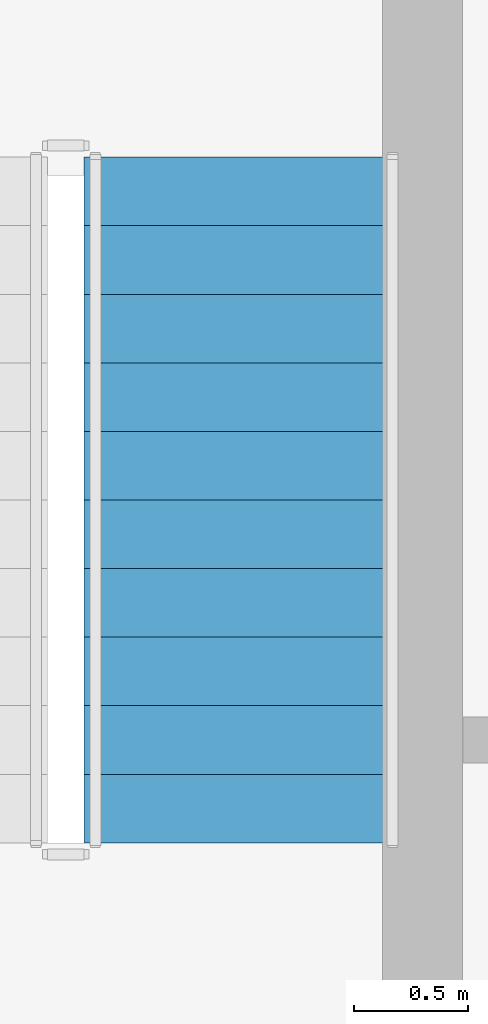
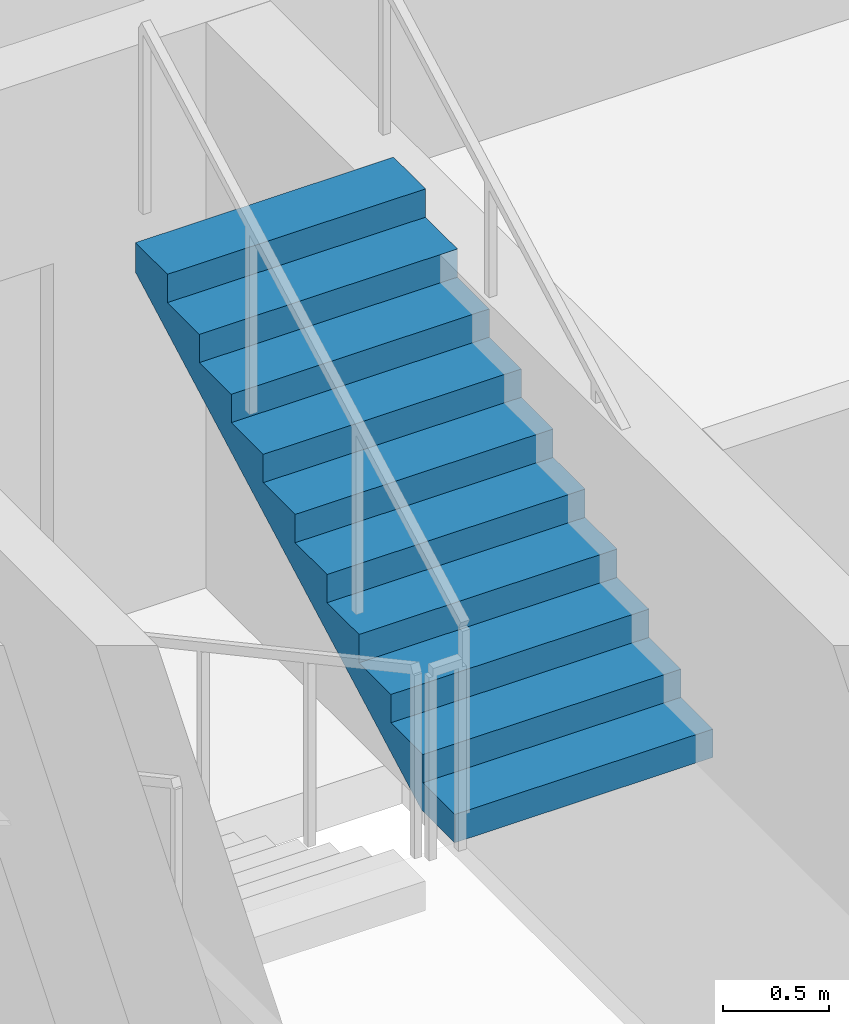
# One storey, part 7 of 16: 1 stair flight, 1 element without a shape of its own.
"""IFC4 building model written with IfcOpenShell, lengths in metres."""

import ifcopenshell
import ifcopenshell.guid

model = None  # the IFC model being written
_history = None  # IfcOwnerHistory: only IFC2X3 demands one
_inside = {}  # id of a spatial element -> (the spatial element, [elements in it])
_under = {}  # id of a project, library or spatial element -> (it, [spatial elements below it])
_declared = {}  # id of a project -> (the project, [libraries it declares])
_typed = {}  # id of a type object -> (the type object, [elements of that type])
_made_of = {}  # id of a material, layer set ... -> (it, [elements and type objects made of it])


def new_model(schema):
    """Start an empty IFC model of exactly this schema.

    Asked for "IFC4X3", IfcOpenShell would pick the latest addendum, in which some entities
    have other attributes; the version numbers below select the first issue.
    IFC2X3 requires an IfcOwnerHistory on every rooted entity: one is made here for all.
    """
    global model, _history
    if schema == "IFC4X3":
        model = ifcopenshell.file(schema_version=(4, 3, 0, 0))
    else:
        model = ifcopenshell.file(schema=schema)
    _inside.clear()
    _under.clear()
    _declared.clear()
    _typed.clear()
    _made_of.clear()
    _history = None
    if model.schema == "IFC2X3":
        org = make("IfcOrganization", Name="unknown")
        user = make(
            "IfcPersonAndOrganization",
            ThePerson=make("IfcPerson", FamilyName="unknown"),
            TheOrganization=org,
        )
        app = make(
            "IfcApplication",
            ApplicationDeveloper=org,
            Version="unknown",
            ApplicationFullName="unknown",
            ApplicationIdentifier="unknown",
        )
        _history = make(
            "IfcOwnerHistory",
            OwningUser=user,
            OwningApplication=app,
            ChangeAction="ADDED",
            CreationDate=0,
        )
    return model


def make(cls, **values):
    """One entity of the class cls with the attributes given. An attribute that is None is left unset."""
    return model.create_entity(
        cls, **{name: value for name, value in values.items() if value is not None}
    )


def rooted(cls, **values):
    """An entity with a GlobalId (a new one), such as an element, a storey or a relation."""
    return make(cls, GlobalId=ifcopenshell.guid.new(), OwnerHistory=_history, **values)


def si_unit(unit_type, name, prefix=None):
    """IfcSIUnit, for example si_unit("LENGTHUNIT", "METRE", prefix="MILLI")."""
    return make("IfcSIUnit", UnitType=unit_type, Prefix=prefix, Name=name)


def assignment(units):
    """IfcUnitAssignment: the units of a project."""
    return None if units is None else make("IfcUnitAssignment", Units=units)


def point(xyz):
    """IfcCartesianPoint."""
    return None if xyz is None else make("IfcCartesianPoint", Coordinates=xyz)


def direction(xyz):
    """IfcDirection."""
    return None if xyz is None else make("IfcDirection", DirectionRatios=xyz)


def frame(location, z_axis=None, x_axis=None):
    """IfcAxis2Placement3D, a coordinate frame: its origin and axes. An axis left out is left unset."""
    return make(
        "IfcAxis2Placement3D",
        Location=point(location),
        Axis=direction(z_axis),
        RefDirection=direction(x_axis),
    )


def origin():
    """The frame at (0, 0, 0) with its axes left unset."""
    return frame((0.0, 0.0, 0.0))


def place(relative_to, where):
    """IfcLocalPlacement: puts the frame where relative to a parent placement (None: the world)."""
    return make(
        "IfcLocalPlacement", PlacementRelTo=relative_to, RelativePlacement=where
    )


def context(
    kind, dimensions, precision=None, world=None, true_north=None, identifier=None
):
    """IfcGeometricRepresentationContext, for example the 3D "Model" context."""
    return make(
        "IfcGeometricRepresentationContext",
        ContextIdentifier=identifier,
        ContextType=kind,
        CoordinateSpaceDimension=dimensions,
        Precision=precision,
        WorldCoordinateSystem=world,
        TrueNorth=true_north,
    )


def subcontext(parent, identifier, kind, view, scale=None):
    """IfcGeometricRepresentationSubContext, for example "Body" below "Model"."""
    return make(
        "IfcGeometricRepresentationSubContext",
        ContextIdentifier=identifier,
        ContextType=kind,
        ParentContext=parent,
        TargetScale=scale,
        TargetView=view,
    )


def project(units=None, contexts=None):
    """IfcProject with its units and contexts."""
    return rooted(
        "IfcProject",
        Name="project",
        RepresentationContexts=contexts,
        UnitsInContext=assignment(units),
    )


def spatial(cls, under=None, at=None, **own):
    """A site, building, storey or space (cls), placed at a placement, below another one or the project."""
    s = rooted(cls, ObjectPlacement=at, **own)
    if under is not None:
        _under.setdefault(under.id(), (under, []))[1].append(s)
    return s


def polyline(points):
    """IfcPolyline through the points."""
    return make("IfcPolyline", Points=[point(p) for p in points])


def outline(outer, holes=None, kind="AREA"):
    """IfcArbitraryClosedProfileDef: a profile drawn as a closed curve; with holes, ...WithVoids."""
    if holes is None:
        return make("IfcArbitraryClosedProfileDef", ProfileType=kind, OuterCurve=outer)
    return make(
        "IfcArbitraryProfileDefWithVoids",
        ProfileType=kind,
        OuterCurve=outer,
        InnerCurves=holes,
    )


def extrude(swept, where, along, depth):
    """IfcExtrudedAreaSolid: the profile swept, set in the frame where, extruded along a direction by depth."""
    return make(
        "IfcExtrudedAreaSolid",
        SweptArea=swept,
        Position=where,
        ExtrudedDirection=direction(along),
        Depth=depth,
    )


def shape(context_of_items, identifier, shape_type, items):
    """IfcShapeRepresentation: the items that make up one representation, for example the "Body"."""
    return make(
        "IfcShapeRepresentation",
        ContextOfItems=context_of_items,
        RepresentationIdentifier=identifier,
        RepresentationType=shape_type,
        Items=items,
    )


def material(Name=None, Category=None):
    """IfcMaterial."""
    return make("IfcMaterial", Name=Name, Category=Category)


def layer(
    of_material, thickness, ventilated=None, Name=None, Category=None, Priority=None
):
    """IfcMaterialLayer: one layer of a wall or slab, of a material (None: an air gap)."""
    return make(
        "IfcMaterialLayer",
        Material=of_material,
        LayerThickness=thickness,
        IsVentilated=ventilated,
        Name=Name,
        Category=Category,
        Priority=Priority,
    )


def layer_set(layers, Name=None):
    """IfcMaterialLayerSet."""
    return make("IfcMaterialLayerSet", MaterialLayers=layers, LayerSetName=Name)


def made_of(thing, what):
    """Note that an element or type object is made of a material, layer set ...; save() writes the relation."""
    if what is not None:
        _made_of.setdefault(what.id(), (what, []))[1].append(thing)
    return thing


def type_object(cls, material=None, **own):
    """A type object (cls), such as IfcWallType, which elements share."""
    return made_of(rooted(cls, **own), material)


def element(
    cls,
    number,
    at=None,
    inside=None,
    cuts=None,
    type_object=None,
    material=None,
    context=None,
    identifier="Body",
    shape_type=None,
    held_by="IfcProductDefinitionShape",
    body=None,
    shapes=None,
    **own,
):
    """One element of the class cls, such as IfcWall. Its Tag is "e" and its number.

    at: its placement. inside: the storey or other place that contains it. cuts: it is an
    opening in that element (IfcRelVoidsElement). A single representation is given by context,
    identifier, shape_type and body (its items); several are given by shapes. held_by: the class
    of the entity that holds the representations. save() writes the other relations.
    """
    e = rooted(cls, Tag="e%d" % number, ObjectPlacement=at, **own)
    if body is not None:
        shapes = [shape(context, identifier, shape_type, body)]
    if shapes is not None:
        e.Representation = make(held_by, Representations=shapes)
    if inside is not None:
        _inside.setdefault(inside.id(), (inside, []))[1].append(e)
    if cuts is not None:
        rooted(
            "IfcRelVoidsElement", RelatingBuildingElement=cuts, RelatedOpeningElement=e
        )
    if type_object is not None:
        _typed.setdefault(type_object.id(), (type_object, []))[1].append(e)
    return made_of(e, material)


def aggregate(whole, parts):
    """IfcRelAggregates: a whole, such as a stair, and the parts it consists of."""
    return rooted("IfcRelAggregates", RelatingObject=whole, RelatedObjects=parts)


def save(model, path):
    """Write the relations noted so far, then the file.

    IfcRelAggregates (storeys below a building ...), IfcRelContainedInSpatialStructure (elements
    in a storey), IfcRelDefinesByType, IfcRelAssociatesMaterial and IfcRelDeclares: one each for
    every whole, place, type object, material and project.
    """
    for whole, parts in _under.values():
        aggregate(whole, parts)
    for where, things in _inside.values():
        rooted(
            "IfcRelContainedInSpatialStructure",
            RelatedElements=things,
            RelatingStructure=where,
        )
    for kind, things in _typed.values():
        rooted("IfcRelDefinesByType", RelatedObjects=things, RelatingType=kind)
    for what, things in _made_of.values():
        rooted("IfcRelAssociatesMaterial", RelatedObjects=things, RelatingMaterial=what)
    for by, libraries in _declared.values():
        rooted("IfcRelDeclares", RelatingContext=by, RelatedDefinitions=libraries)
    model.write(path)


model = new_model("IFC4")

# Units and contexts
model_context = context("Model", 3, precision=1e-05, world=origin(), true_north=direction((0.0, 1.0)))
body_context = subcontext(model_context, "Body", "Model", "MODEL_VIEW")
ifc_project = project(units=[si_unit("LENGTHUNIT", "METRE"), si_unit("AREAUNIT", "SQUARE_METRE"), si_unit("VOLUMEUNIT", "CUBIC_METRE"), si_unit("PLANEANGLEUNIT", "RADIAN"), si_unit("MASSUNIT", "GRAM", prefix="KILO")], contexts=[model_context])

# Site, building, storey
site_placement = place(None, origin())
site = spatial("IfcSite", under=ifc_project, at=site_placement, CompositionType="ELEMENT")
building_placement = place(site_placement, origin())
building = spatial("IfcBuilding", under=site, at=building_placement, Name="Zulmaris Gate Convention Tower", CompositionType="ELEMENT")
storey_placement = place(building_placement, frame((0.0, 0.0, 67.89990234375)))
storey = spatial("IfcBuildingStorey", under=building, at=storey_placement, Name="L16", CompositionType="ELEMENT", Elevation=67.89990234375)

# Stair, stair flight
ifc_material = material(Name="Concrete C45/55", Category="concrete")
stair_type = type_object("IfcStairType", Name="ST-CORE-DOGLEG", PredefinedType="HALF_TURN_STAIR", material=ifc_material)
stair_placement = place(storey_placement, origin())
stair = element("IfcStair", 1, at=stair_placement, inside=storey, type_object=stair_type, Name="L16 Core Exit Stair ST-2", PredefinedType="HALF_TURN_STAIR")
ifc_layer = layer(ifc_material, 0.14990234375, Name="Concrete C45/55")
ifc_layer_set = layer_set([ifc_layer], Name="Concrete C45/55")
stair_flight_type = type_object("IfcStairFlightType", Name="STF-RC150", PredefinedType="STRAIGHT", material=ifc_layer_set)
stair_flight_placement = place(storey_placement, frame((13.919921875, -5.0, 1.78515625), z_axis=(0.0, 0.0, 1.0), x_axis=(0.0, 1.0, 0.0)))
stair_flight = element("IfcStairFlight", 2, at=stair_flight_placement, type_object=stair_flight_type, Name="ST-2 flight 2", NumberOfRisers=11, NumberOfTreads=10, PredefinedType="STRAIGHT", RiserHeight=0.162277273, TreadLength=0.3, context=body_context, shape_type="SweptSolid", body=[
    extrude(outline(polyline([(0.0, 0.0), (0.0, 0.162353515625), (0.300048828125, 0.162353515625), (0.300048828125, 0.324462890625), (0.60009765625, 0.324462890625), (0.60009765625, 0.48681640625), (0.89990234375, 0.48681640625), (0.89990234375, 0.649169921875), (1.199951171875, 0.649169921875), (1.199951171875, 0.811279296875), (1.5, 0.811279296875), (1.5, 0.9736328125), (1.800048828125, 0.9736328125), (1.800048828125, 1.135986328125), (2.10009765625, 1.135986328125), (2.10009765625, 1.29833984375), (2.39990234375, 1.29833984375), (2.39990234375, 1.46044921875), (2.699951171875, 1.46044921875), (2.699951171875, 1.622802734375), (3.0, 1.622802734375), (3.0, 1.78515625), (3.0, 1.452392578125), (0.315185546875, 0.0), (0.0, 0.0)])), frame((0.0, 0.699951171875, 0.0), z_axis=(0.0, -1.0, 0.0), x_axis=(1.0, 0.0, 0.0)), (0.0, 0.0, 1.0), 1.39990234375),
])
aggregate(stair, [stair_flight])

save(model, "model.ifc")
